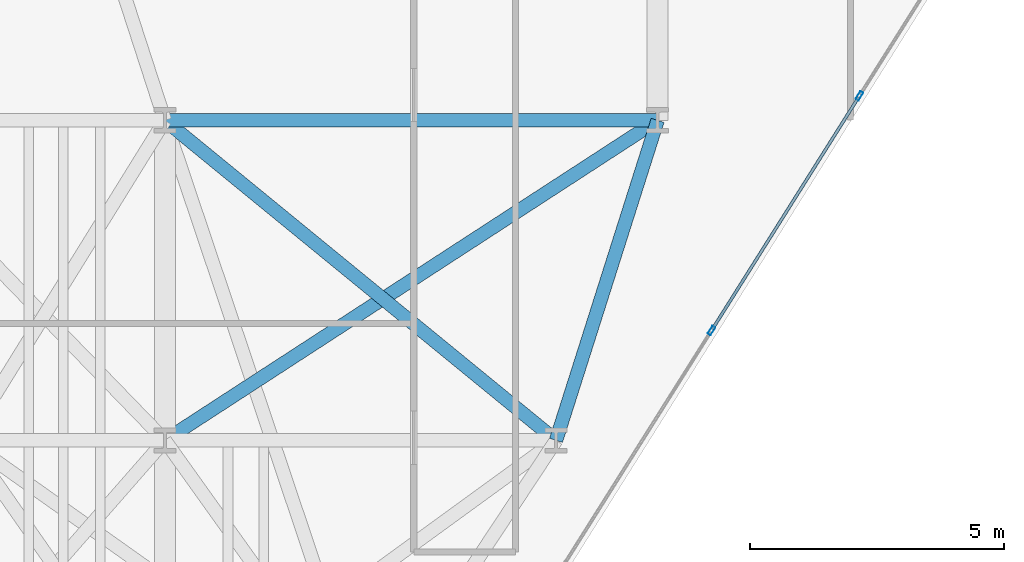
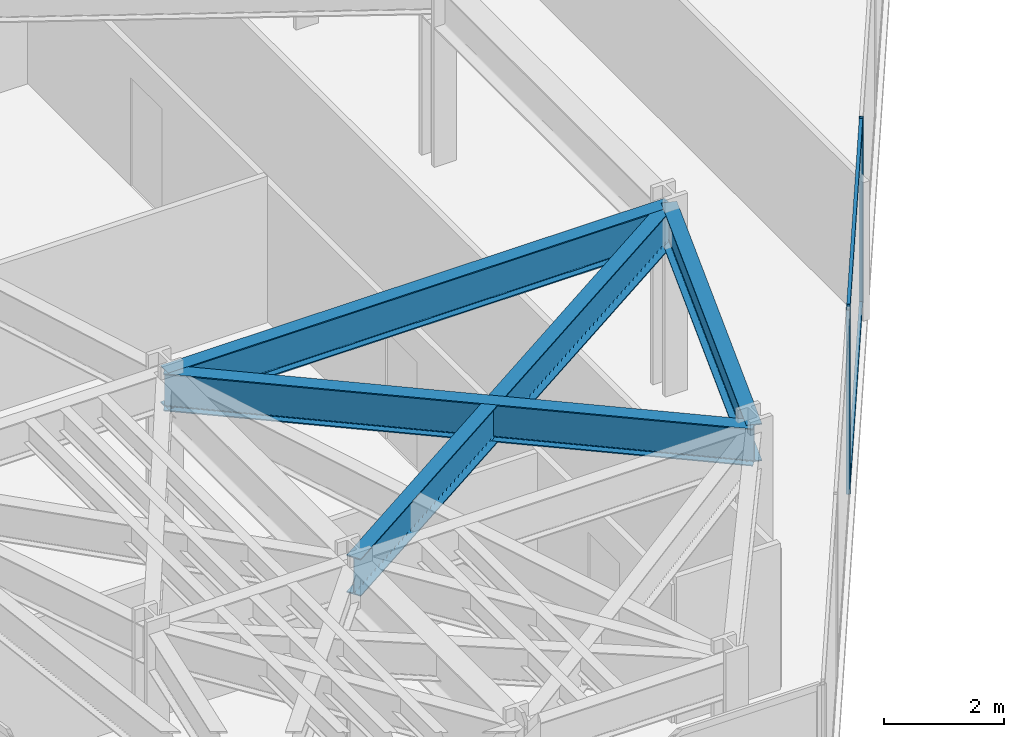
# One storey, part 6 of 24: 4 beams, 4 members, 1 element without a shape of its own.
"""IFC4 building model written with IfcOpenShell, lengths in metres."""

import ifcopenshell
import ifcopenshell.guid

model = None  # the IFC model being written
_history = None  # IfcOwnerHistory: only IFC2X3 demands one
_inside = {}  # id of a spatial element -> (the spatial element, [elements in it])
_under = {}  # id of a project, library or spatial element -> (it, [spatial elements below it])
_declared = {}  # id of a project -> (the project, [libraries it declares])
_typed = {}  # id of a type object -> (the type object, [elements of that type])
_made_of = {}  # id of a material, layer set ... -> (it, [elements and type objects made of it])


def new_model(schema):
    """Start an empty IFC model of exactly this schema.

    Asked for "IFC4X3", IfcOpenShell would pick the latest addendum, in which some entities
    have other attributes; the version numbers below select the first issue.
    IFC2X3 requires an IfcOwnerHistory on every rooted entity: one is made here for all.
    """
    global model, _history
    if schema == "IFC4X3":
        model = ifcopenshell.file(schema_version=(4, 3, 0, 0))
    else:
        model = ifcopenshell.file(schema=schema)
    _inside.clear()
    _under.clear()
    _declared.clear()
    _typed.clear()
    _made_of.clear()
    _history = None
    if model.schema == "IFC2X3":
        org = make("IfcOrganization", Name="unknown")
        user = make(
            "IfcPersonAndOrganization",
            ThePerson=make("IfcPerson", FamilyName="unknown"),
            TheOrganization=org,
        )
        app = make(
            "IfcApplication",
            ApplicationDeveloper=org,
            Version="unknown",
            ApplicationFullName="unknown",
            ApplicationIdentifier="unknown",
        )
        _history = make(
            "IfcOwnerHistory",
            OwningUser=user,
            OwningApplication=app,
            ChangeAction="ADDED",
            CreationDate=0,
        )
    return model


def make(cls, **values):
    """One entity of the class cls with the attributes given. An attribute that is None is left unset."""
    return model.create_entity(
        cls, **{name: value for name, value in values.items() if value is not None}
    )


def rooted(cls, **values):
    """An entity with a GlobalId (a new one), such as an element, a storey or a relation."""
    return make(cls, GlobalId=ifcopenshell.guid.new(), OwnerHistory=_history, **values)


def si_unit(unit_type, name, prefix=None):
    """IfcSIUnit, for example si_unit("LENGTHUNIT", "METRE", prefix="MILLI")."""
    return make("IfcSIUnit", UnitType=unit_type, Prefix=prefix, Name=name)


def assignment(units):
    """IfcUnitAssignment: the units of a project."""
    return None if units is None else make("IfcUnitAssignment", Units=units)


def point(xyz):
    """IfcCartesianPoint."""
    return None if xyz is None else make("IfcCartesianPoint", Coordinates=xyz)


def direction(xyz):
    """IfcDirection."""
    return None if xyz is None else make("IfcDirection", DirectionRatios=xyz)


def frame(location, z_axis=None, x_axis=None):
    """IfcAxis2Placement3D, a coordinate frame: its origin and axes. An axis left out is left unset."""
    return make(
        "IfcAxis2Placement3D",
        Location=point(location),
        Axis=direction(z_axis),
        RefDirection=direction(x_axis),
    )


def frame_2d(location, x_axis=None):
    """IfcAxis2Placement2D, a coordinate frame in the plane: its origin and x axis."""
    return make(
        "IfcAxis2Placement2D", Location=point(location), RefDirection=direction(x_axis)
    )


def origin():
    """The frame at (0, 0, 0) with its axes left unset."""
    return frame((0.0, 0.0, 0.0))


def origin_2d():
    """The frame at (0, 0) in the plane with its x axis left unset."""
    return frame_2d((0.0, 0.0))


def place(relative_to, where):
    """IfcLocalPlacement: puts the frame where relative to a parent placement (None: the world)."""
    return make(
        "IfcLocalPlacement", PlacementRelTo=relative_to, RelativePlacement=where
    )


def context(
    kind, dimensions, precision=None, world=None, true_north=None, identifier=None
):
    """IfcGeometricRepresentationContext, for example the 3D "Model" context."""
    return make(
        "IfcGeometricRepresentationContext",
        ContextIdentifier=identifier,
        ContextType=kind,
        CoordinateSpaceDimension=dimensions,
        Precision=precision,
        WorldCoordinateSystem=world,
        TrueNorth=true_north,
    )


def subcontext(parent, identifier, kind, view, scale=None):
    """IfcGeometricRepresentationSubContext, for example "Body" below "Model"."""
    return make(
        "IfcGeometricRepresentationSubContext",
        ContextIdentifier=identifier,
        ContextType=kind,
        ParentContext=parent,
        TargetScale=scale,
        TargetView=view,
    )


def project(units=None, contexts=None):
    """IfcProject with its units and contexts."""
    return rooted(
        "IfcProject",
        Name="project",
        RepresentationContexts=contexts,
        UnitsInContext=assignment(units),
    )


def spatial(cls, under=None, at=None, **own):
    """A site, building, storey or space (cls), placed at a placement, below another one or the project."""
    s = rooted(cls, ObjectPlacement=at, **own)
    if under is not None:
        _under.setdefault(under.id(), (under, []))[1].append(s)
    return s


def profile(cls, at=None, kind="AREA", **sizes):
    """A parametric profile (cls). Its sizes go by their IFC names, for example OverallWidth=200.0."""
    return make(cls, ProfileType=kind, Position=at, **sizes)


def hollow_rectangle(**sizes):
    """IfcRectangleHollowProfileDef."""
    return profile("IfcRectangleHollowProfileDef", **sizes)


def i_section(**sizes):
    """IfcIShapeProfileDef."""
    return profile("IfcIShapeProfileDef", **sizes)


def extrude(swept, where, along, depth):
    """IfcExtrudedAreaSolid: the profile swept, set in the frame where, extruded along a direction by depth."""
    return make(
        "IfcExtrudedAreaSolid",
        SweptArea=swept,
        Position=where,
        ExtrudedDirection=direction(along),
        Depth=depth,
    )


def shape(context_of_items, identifier, shape_type, items):
    """IfcShapeRepresentation: the items that make up one representation, for example the "Body"."""
    return make(
        "IfcShapeRepresentation",
        ContextOfItems=context_of_items,
        RepresentationIdentifier=identifier,
        RepresentationType=shape_type,
        Items=items,
    )


def material(Name=None, Category=None):
    """IfcMaterial."""
    return make("IfcMaterial", Name=Name, Category=Category)


def layer(
    of_material, thickness, ventilated=None, Name=None, Category=None, Priority=None
):
    """IfcMaterialLayer: one layer of a wall or slab, of a material (None: an air gap)."""
    return make(
        "IfcMaterialLayer",
        Material=of_material,
        LayerThickness=thickness,
        IsVentilated=ventilated,
        Name=Name,
        Category=Category,
        Priority=Priority,
    )


def layer_set(layers, Name=None):
    """IfcMaterialLayerSet."""
    return make("IfcMaterialLayerSet", MaterialLayers=layers, LayerSetName=Name)


def material_profile(
    of_material, cross_section, Name=None, Category=None, Priority=None
):
    """IfcMaterialProfile: a cross section and its material."""
    return make(
        "IfcMaterialProfile",
        Name=Name,
        Material=of_material,
        Profile=cross_section,
        Priority=Priority,
        Category=Category,
    )


def profile_set(profiles, Name=None, composite=None):
    """IfcMaterialProfileSet."""
    return make(
        "IfcMaterialProfileSet",
        Name=Name,
        MaterialProfiles=profiles,
        CompositeProfile=composite,
    )


def made_of(thing, what):
    """Note that an element or type object is made of a material, layer set ...; save() writes the relation."""
    if what is not None:
        _made_of.setdefault(what.id(), (what, []))[1].append(thing)
    return thing


def type_object(cls, material=None, **own):
    """A type object (cls), such as IfcWallType, which elements share."""
    return made_of(rooted(cls, **own), material)


def element(
    cls,
    number,
    at=None,
    inside=None,
    cuts=None,
    type_object=None,
    material=None,
    context=None,
    identifier="Body",
    shape_type=None,
    held_by="IfcProductDefinitionShape",
    body=None,
    shapes=None,
    **own,
):
    """One element of the class cls, such as IfcWall. Its Tag is "e" and its number.

    at: its placement. inside: the storey or other place that contains it. cuts: it is an
    opening in that element (IfcRelVoidsElement). A single representation is given by context,
    identifier, shape_type and body (its items); several are given by shapes. held_by: the class
    of the entity that holds the representations. save() writes the other relations.
    """
    e = rooted(cls, Tag="e%d" % number, ObjectPlacement=at, **own)
    if body is not None:
        shapes = [shape(context, identifier, shape_type, body)]
    if shapes is not None:
        e.Representation = make(held_by, Representations=shapes)
    if inside is not None:
        _inside.setdefault(inside.id(), (inside, []))[1].append(e)
    if cuts is not None:
        rooted(
            "IfcRelVoidsElement", RelatingBuildingElement=cuts, RelatedOpeningElement=e
        )
    if type_object is not None:
        _typed.setdefault(type_object.id(), (type_object, []))[1].append(e)
    return made_of(e, material)


def aggregate(whole, parts):
    """IfcRelAggregates: a whole, such as a stair, and the parts it consists of."""
    return rooted("IfcRelAggregates", RelatingObject=whole, RelatedObjects=parts)


def save(model, path):
    """Write the relations noted so far, then the file.

    IfcRelAggregates (storeys below a building ...), IfcRelContainedInSpatialStructure (elements
    in a storey), IfcRelDefinesByType, IfcRelAssociatesMaterial and IfcRelDeclares: one each for
    every whole, place, type object, material and project.
    """
    for whole, parts in _under.values():
        aggregate(whole, parts)
    for where, things in _inside.values():
        rooted(
            "IfcRelContainedInSpatialStructure",
            RelatedElements=things,
            RelatingStructure=where,
        )
    for kind, things in _typed.values():
        rooted("IfcRelDefinesByType", RelatedObjects=things, RelatingType=kind)
    for what, things in _made_of.values():
        rooted("IfcRelAssociatesMaterial", RelatedObjects=things, RelatingMaterial=what)
    for by, libraries in _declared.values():
        rooted("IfcRelDeclares", RelatingContext=by, RelatedDefinitions=libraries)
    model.write(path)


model = new_model("IFC4")

# Units and contexts
model_context = context("Model", 3, precision=1e-05, world=origin(), true_north=direction((0.0, 1.0)))
body_context = subcontext(model_context, "Body", "Model", "MODEL_VIEW")
ifc_project = project(units=[si_unit("LENGTHUNIT", "METRE"), si_unit("AREAUNIT", "SQUARE_METRE"), si_unit("VOLUMEUNIT", "CUBIC_METRE"), si_unit("PLANEANGLEUNIT", "RADIAN"), si_unit("MASSUNIT", "GRAM", prefix="KILO")], contexts=[model_context])

# Site, building, storey
site_placement = place(None, origin())
site = spatial("IfcSite", under=ifc_project, at=site_placement, CompositionType="ELEMENT")
building_placement = place(site_placement, origin())
building = spatial("IfcBuilding", under=site, at=building_placement, Name="Kravanh Interchange Tower", CompositionType="ELEMENT")
storey_placement = place(building_placement, frame((0.0, 0.0, 77.5)))
storey = spatial("IfcBuildingStorey", under=building, at=storey_placement, Name="L18", CompositionType="ELEMENT", Elevation=77.5)

# Curtain wall, members
ifc_material_1 = material(Name="Anodised Bronze Aluminium", Category="aluminium")
ifc_layer = layer(ifc_material_1, 0.179931640625)
ifc_layer_set = layer_set([ifc_layer], Name="Unitised Curtain Wall System CW-Z1 Lower Office")
curtain_wall_type = type_object("IfcCurtainWallType", Name="Unitised Curtain Wall System CW-Z1 Lower Office", PredefinedType="NOTDEFINED", material=ifc_layer_set)
curtain_wall_placement = place(storey_placement, origin())
curtain_wall = element("IfcCurtainWall", 1, at=curtain_wall_placement, inside=storey, type_object=curtain_wall_type, Name="L18 Unitised Curtain Wall CW-L18-05", PredefinedType="NOTDEFINED")
ifc_material_2 = material(Name="Anodised Bronze Aluminium", Category="aluminium")
ifc_material_profile_1 = material_profile(ifc_material_2, hollow_rectangle(XDim=0.070068359375, YDim=0.179931640625, WallThickness=0.00390625, at=origin_2d()), Name="ALU70X180X4")
ifc_profile_set_1 = profile_set([ifc_material_profile_1], Name="Anodised Bronze Aluminium")
member_type_1 = type_object("IfcMemberType", Name="Curtain Wall Mullion ALU70X180X4 Bronze", PredefinedType="MULLION", material=ifc_profile_set_1)
member_1_placement = place(storey_placement, frame((31.173583984375, 14.98291015625, 0.0), z_axis=(0.0, 0.0, 1.0), x_axis=(0.845925530786, -0.53330103728, 0.0)))
member_1 = element("IfcMember", 2, at=member_1_placement, type_object=member_type_1, Name="CW-Z1 mullion 3", PredefinedType="MULLION", context=body_context, shape_type="SweptSolid", body=[
    extrude(hollow_rectangle(XDim=0.070068359375, YDim=0.179931640625, WallThickness=0.00390625, at=origin_2d()), origin(), (0.0, 0.0, 1.0), 3.739990234375),
])
member_2_placement = place(storey_placement, frame((28.26025390625, 10.362060546875, 0.0), z_axis=(0.0, 0.0, 1.0), x_axis=(0.845925530786, -0.53330103728, 0.0)))
member_2 = element("IfcMember", 3, at=member_2_placement, type_object=member_type_1, Name="CW-Z1 mullion 4", PredefinedType="MULLION", context=body_context, shape_type="SweptSolid", body=[
    extrude(hollow_rectangle(XDim=0.070068359375, YDim=0.179931640625, WallThickness=0.00390625, at=origin_2d()), origin(), (0.0, 0.0, 1.0), 3.739990234375),
])
ifc_material_3 = material(Name="Anodised Bronze Aluminium", Category="aluminium")
ifc_material_profile_2 = material_profile(ifc_material_3, hollow_rectangle(XDim=0.06005859375, YDim=0.139892578125, WallThickness=0.00390625, at=origin_2d()), Name="ALU60X140X4")
ifc_profile_set_2 = profile_set([ifc_material_profile_2], Name="Anodised Bronze Aluminium")
member_type_2 = type_object("IfcMemberType", Name="Curtain Wall Transom ALU60X140X4 Bronze", PredefinedType="USERDEFINED", material=ifc_profile_set_2)
member_3_placement = place(storey_placement, frame((31.15478515625, 14.953369140625, 0.030029296875), z_axis=(-0.533279090152, -0.845939366626, 0.0), x_axis=(0.845939366626, -0.533279090152, 0.0)))
member_3 = element("IfcMember", 4, at=member_3_placement, type_object=member_type_2, Name="CW-Z1 transom 3.1", ObjectType="TRANSOM", PredefinedType="USERDEFINED", context=body_context, shape_type="SweptSolid", body=[
    extrude(hollow_rectangle(XDim=0.06005859375, YDim=0.139892578125, WallThickness=0.00390625, at=origin_2d()), origin(), (0.0, 0.0, 1.0), 5.392578125),
])
member_4_placement = place(storey_placement, frame((31.15478515625, 14.953369140625, 3.7099609375), z_axis=(-0.533279090152, -0.845939366626, 0.0), x_axis=(0.845939366626, -0.533279090152, 0.0)))
member_4 = element("IfcMember", 5, at=member_4_placement, type_object=member_type_2, Name="CW-Z1 transom 3.2", ObjectType="TRANSOM", PredefinedType="USERDEFINED", context=body_context, shape_type="SweptSolid", body=[
    extrude(hollow_rectangle(XDim=0.06005859375, YDim=0.139892578125, WallThickness=0.00390625, at=origin_2d()), origin(), (0.0, 0.0, 1.0), 5.392578125),
])
aggregate(curtain_wall, [member_1, member_2, member_3, member_4])

# Beams
ifc_material_4 = material(Name="Structural Steel S355", Category="steel")
ifc_material_profile_3 = material_profile(ifc_material_4, i_section(OverallWidth=0.26708984375, OverallDepth=0.761962890625, WebThickness=0.014404296875, FlangeThickness=0.021484375, FilletRadius=0.02490234375, at=origin_2d()), Name="W30X116")
ifc_profile_set_3 = profile_set([ifc_material_profile_3], Name="Structural Steel S355")
beam_type = type_object("IfcBeamType", Name="Floor Spandrel W30X116 Structural Steel S355", PredefinedType="SPANDREL", material=ifc_profile_set_3)
beam_1_placement = place(storey_placement, frame((17.5, 8.199951171875, 3.35888671875), z_axis=(0.838637911458, 0.544689318295, 0.0), x_axis=(-0.544689318295, 0.838637911458, 0.0)))
element("IfcBeam", 6, at=beam_1_placement, inside=storey, type_object=beam_type, Name="L18 Perimeter Spandrel 139", PredefinedType="SPANDREL", context=body_context, shape_type="SweptSolid", body=[
    extrude(i_section(OverallWidth=0.26708984375, OverallDepth=0.761962890625, WebThickness=0.014404296875, FlangeThickness=0.021484375, FilletRadius=0.02490234375, at=origin_2d()), origin(), (0.0, 0.0, 1.0), 11.56640625),
])
beam_2_placement = place(storey_placement, frame((25.199951171875, 8.199951171875, 3.35888671875), z_axis=(0.30257700201, 0.953124943465, 0.0), x_axis=(-0.953124943465, 0.30257700201, 0.0)))
element("IfcBeam", 7, at=beam_2_placement, inside=storey, type_object=beam_type, Name="L18 Perimeter Spandrel 140", PredefinedType="SPANDREL", context=body_context, shape_type="SweptSolid", body=[
    extrude(i_section(OverallWidth=0.26708984375, OverallDepth=0.761962890625, WebThickness=0.014404296875, FlangeThickness=0.021484375, FilletRadius=0.02490234375, at=origin_2d()), origin(), (0.0, 0.0, 1.0), 6.60986328125),
])
beam_3_placement = place(storey_placement, frame((25.199951171875, 8.199951171875, 3.35888671875), z_axis=(-0.773952925799, 0.633243135491, 0.0), x_axis=(-0.633243135491, -0.773952925799, 0.0)))
element("IfcBeam", 8, at=beam_3_placement, inside=storey, type_object=beam_type, Name="L18 Perimeter Spandrel 141", PredefinedType="SPANDREL", context=body_context, shape_type="SweptSolid", body=[
    extrude(i_section(OverallWidth=0.26708984375, OverallDepth=0.761962890625, WebThickness=0.014404296875, FlangeThickness=0.021484375, FilletRadius=0.02490234375, at=origin_2d()), origin(), (0.0, 0.0, 1.0), 9.948974609375),
])
beam_4_placement = place(storey_placement, frame((17.5, 14.5, 3.35888671875), z_axis=(1.0, 0.0, 0.0), x_axis=(0.0, 1.0, 0.0)))
element("IfcBeam", 9, at=beam_4_placement, inside=storey, type_object=beam_type, Name="L18 Perimeter Spandrel 144", PredefinedType="SPANDREL", context=body_context, shape_type="SweptSolid", body=[
    extrude(i_section(OverallWidth=0.26708984375, OverallDepth=0.761962890625, WebThickness=0.014404296875, FlangeThickness=0.021484375, FilletRadius=0.02490234375, at=origin_2d()), origin(), (0.0, 0.0, 1.0), 9.699951171875),
])

save(model, "model.ifc")
